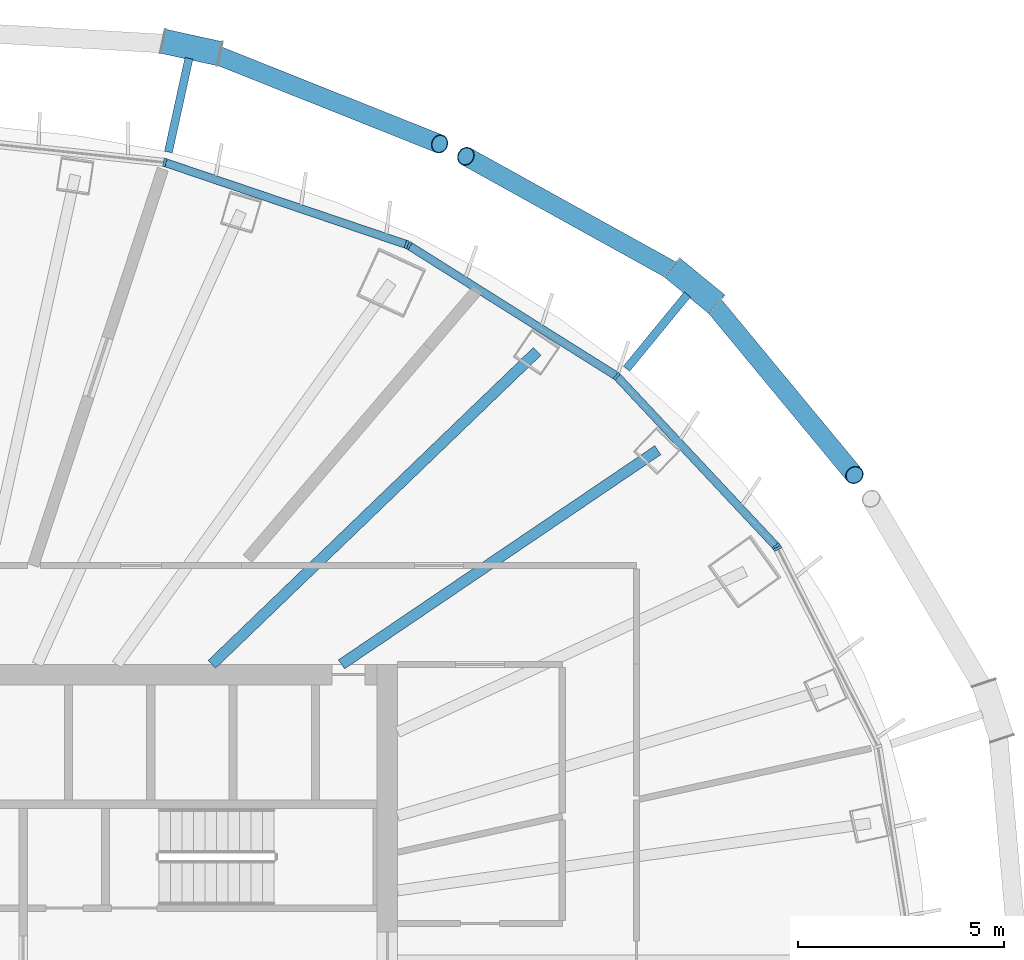
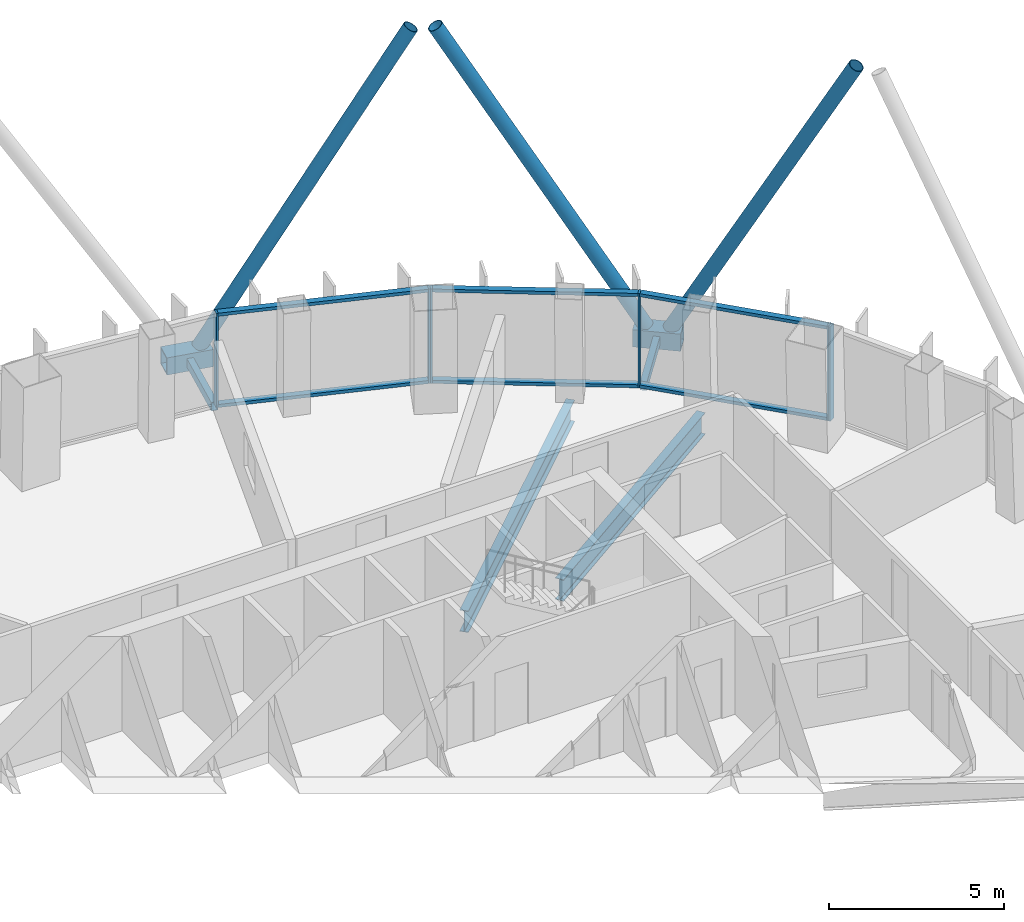
# One storey, part 6 of 18: 19 members, 2 beams, 3 elements without a shape of their own.
"""IFC4 building model written with IfcOpenShell, lengths in metres."""

from ifc_helpers import new_model, si_unit, direction, frame, origin, origin_2d, place, context, subcontext, project, spatial, rectangle, hollow_rectangle, hollow_circle, i_section, extrude, material, layer, layer_set, material_profile, profile_set, type_object, element, aggregate, save


model = new_model("IFC4")

# Units and contexts
model_context = context("Model", 3, precision=1e-05, world=origin(), true_north=direction((0.0, 1.0)))
body_context = subcontext(model_context, "Body", "Model", "MODEL_VIEW")
ifc_project = project(units=[si_unit("LENGTHUNIT", "METRE"), si_unit("AREAUNIT", "SQUARE_METRE"), si_unit("VOLUMEUNIT", "CUBIC_METRE"), si_unit("PLANEANGLEUNIT", "RADIAN"), si_unit("MASSUNIT", "GRAM", prefix="KILO")], contexts=[model_context])

# Site, building, storey
site_placement = place(None, origin())
site = spatial("IfcSite", under=ifc_project, at=site_placement, CompositionType="ELEMENT")
building_placement = place(site_placement, origin())
building = spatial("IfcBuilding", under=site, at=building_placement, Name="Siaravel Broadcast Tower", CompositionType="ELEMENT")
storey_placement = place(building_placement, frame((0.0, 0.0, 141.5)))
storey = spatial("IfcBuildingStorey", under=building, at=storey_placement, Name="L34", CompositionType="ELEMENT", Elevation=141.5)

# Beams
ifc_material_1 = material(Name="Steel S355", Category="steel")
ifc_material_profile_1 = material_profile(ifc_material_1, i_section(OverallWidth=0.26513671875, OverallDepth=0.75390625, WebThickness=0.0126953125, FlangeThickness=0.017578125, FilletRadius=0.0166015625, at=origin_2d()))
ifc_profile_set_1 = profile_set([ifc_material_profile_1], Name="Steel S355")
beam_type = type_object("IfcBeamType", Name="BM-UB 762x267x147", PredefinedType="BEAM", material=ifc_profile_set_1)
beam_1_placement = place(storey_placement, frame((18.3203125, 12.4033203125, -0.52685546875), z_axis=(-0.828075469, -0.560616641, 0.0), x_axis=(0.560616641, -0.828075469, 0.0)))
element("IfcBeam", 1, at=beam_1_placement, inside=storey, type_object=beam_type, Name="Radial beam RB05", PredefinedType="BEAM", context=body_context, shape_type="SweptSolid", body=[
    extrude(i_section(OverallWidth=0.26513671875, OverallDepth=0.75390625, WebThickness=0.0126953125, FlangeThickness=0.017578125, FilletRadius=0.0166015625, at=origin_2d()), origin(), (0.0, 0.0, 1.0), 9.281494140625),
])
beam_2_placement = place(storey_placement, frame((15.38818359375, 14.8046875, -0.52685546875), z_axis=(-0.720630298, -0.693319532, 0.0), x_axis=(0.693319532, -0.720630298, 0.0)))
element("IfcBeam", 2, at=beam_2_placement, inside=storey, type_object=beam_type, Name="Radial beam RB06", PredefinedType="BEAM", context=body_context, shape_type="SweptSolid", body=[
    extrude(i_section(OverallWidth=0.26513671875, OverallDepth=0.75390625, WebThickness=0.0126953125, FlangeThickness=0.017578125, FilletRadius=0.0166015625, at=origin_2d()), origin(), (0.0, 0.0, 1.0), 10.968505859375),
])

# Curtain wall, member
ifc_material_2 = material(Name="Aluminium 6063-T6", Category="aluminium")
ifc_layer = layer(ifc_material_2, 0.199951171875)
ifc_layer_set = layer_set([ifc_layer], Name="Aluminium 6063-T6")
curtain_wall_type = type_object("IfcCurtainWallType", Name="Unitised curtain wall, zone 2", PredefinedType="NOTDEFINED", material=ifc_layer_set)
curtain_wall_1_placement = place(storey_placement, origin())
curtain_wall_1 = element("IfcCurtainWall", 3, at=curtain_wall_1_placement, inside=storey, type_object=curtain_wall_type, Name="L34 Unitised curtain wall, zone 2 01", PredefinedType="NOTDEFINED")
ifc_material_profile_2 = material_profile(ifc_material_2, rectangle(XDim=0.199951171875, YDim=0.06494140625, at=origin_2d()))
ifc_profile_set_2 = profile_set([ifc_material_profile_2], Name="Aluminium 6063-T6")
member_type_1 = type_object("IfcMemberType", Name="CW-Z2 mullion", PredefinedType="MULLION", material=ifc_profile_set_2)
member_1_placement = place(storey_placement, frame((21.232421875, 10.0146484375, 0.0), z_axis=(0.0, 0.0, 1.0), x_axis=(-0.89239231, -0.451260419, 0.0)))
member_1 = element("IfcMember", 4, at=member_1_placement, type_object=member_type_1, Name="CW-Z2 mullion 3", PredefinedType="MULLION", context=body_context, shape_type="SweptSolid", body=[
    extrude(rectangle(XDim=0.199951171875, YDim=0.06494140625, at=origin_2d()), origin(), (0.0, 0.0, 1.0), 3.300048828125),
])
aggregate(curtain_wall_1, [member_1])

# Curtain wall, members
curtain_wall_2_placement = place(storey_placement, origin())
curtain_wall_2 = element("IfcCurtainWall", 5, at=curtain_wall_2_placement, inside=storey, type_object=curtain_wall_type, Name="L34 Unitised curtain wall, zone 2 02", PredefinedType="NOTDEFINED")
member_2_placement = place(storey_placement, frame((21.1953125, 10.0673828125, 0.0), z_axis=(0.0, 0.0, 1.0), x_axis=(-0.72980568, -0.683654642, 0.0)))
member_2 = element("IfcMember", 6, at=member_2_placement, type_object=member_type_1, Name="CW-Z2 mullion 1", PredefinedType="MULLION", context=body_context, shape_type="SweptSolid", body=[
    extrude(rectangle(XDim=0.199951171875, YDim=0.06494140625, at=origin_2d()), origin(), (0.0, 0.0, 1.0), 3.300048828125),
])
member_3_placement = place(storey_placement, frame((17.322509765625, 14.20166015625, 0.0), z_axis=(0.0, 0.0, 1.0), x_axis=(-0.636219116, -0.771508416, 0.0)))
member_3 = element("IfcMember", 7, at=member_3_placement, type_object=member_type_1, Name="CW-Z2 mullion 2", PredefinedType="MULLION", context=body_context, shape_type="SweptSolid", body=[
    extrude(rectangle(XDim=0.199951171875, YDim=0.06494140625, at=origin_2d()), origin(), (0.0, 0.0, 1.0), 3.300048828125),
])
member_4_placement = place(storey_placement, frame((12.275390625, 17.3740234375, 0.0), z_axis=(0.0, 0.0, 1.0), x_axis=(-0.532149741, -0.846650254, 0.0)))
member_4 = element("IfcMember", 8, at=member_4_placement, type_object=member_type_1, Name="CW-Z2 mullion 3", PredefinedType="MULLION", context=body_context, shape_type="SweptSolid", body=[
    extrude(rectangle(XDim=0.199951171875, YDim=0.06494140625, at=origin_2d()), origin(), (0.0, 0.0, 1.0), 3.300048828125),
])

curtain_wall_3_placement = place(storey_placement, origin())
curtain_wall_3 = element("IfcCurtainWall", 9, at=curtain_wall_3_placement, inside=storey, type_object=curtain_wall_type, Name="L34 Unitised curtain wall, zone 2 03", PredefinedType="NOTDEFINED")
member_5_placement = place(storey_placement, frame((12.217041015625, 17.40185546875, 0.0), z_axis=(0.0, 0.0, 1.0), x_axis=(-0.321301028, -0.946977111, 0.0)))
member_5 = element("IfcMember", 10, at=member_5_placement, type_object=member_type_1, Name="CW-Z2 mullion 1", PredefinedType="MULLION", context=body_context, shape_type="SweptSolid", body=[
    extrude(rectangle(XDim=0.199951171875, YDim=0.06494140625, at=origin_2d()), origin(), (0.0, 0.0, 1.0), 3.300048828125),
])
member_6_placement = place(storey_placement, frame((6.339599609375, 19.39599609375, 0.0), z_axis=(0.0, 0.0, 1.0), x_axis=(-0.215558352, -0.976490961, 0.0)))
member_6 = element("IfcMember", 11, at=member_6_placement, type_object=member_type_1, Name="CW-Z2 mullion 2", PredefinedType="MULLION", context=body_context, shape_type="SweptSolid", body=[
    extrude(rectangle(XDim=0.199951171875, YDim=0.06494140625, at=origin_2d()), origin(), (0.0, 0.0, 1.0), 3.300048828125),
])

# Member
ifc_material_profile_3 = material_profile(ifc_material_2, rectangle(XDim=0.199951171875, YDim=0.110107421875, at=origin_2d()))
ifc_profile_set_3 = profile_set([ifc_material_profile_3], Name="Aluminium 6063-T6")
member_type_2 = type_object("IfcMemberType", Name="CW-Z2 transom", PredefinedType="USERDEFINED", material=ifc_profile_set_3)
member_7_placement = place(storey_placement, frame((21.173095703125, 10.091064453125, 0.054931640625), z_axis=(-0.683668449, 0.729792746, 0.0), x_axis=(-0.729792746, -0.683668449, 0.0)))
member_7 = element("IfcMember", 12, at=member_7_placement, type_object=member_type_2, Name="CW-Z2 transom 1", ObjectType="TRANSOM", PredefinedType="USERDEFINED", context=body_context, shape_type="SweptSolid", body=[
    extrude(rectangle(XDim=0.199951171875, YDim=0.110107421875, at=origin_2d()), origin(), (0.0, 0.0, 1.0), 5.60009765625),
])

member_8_placement = place(storey_placement, frame((21.173095703125, 10.091064453125, 3.2451171875), z_axis=(-0.683668449, 0.729792746, 0.0), x_axis=(-0.729792746, -0.683668449, 0.0)))
member_8 = element("IfcMember", 13, at=member_8_placement, type_object=member_type_2, Name="CW-Z2 transom 1", ObjectType="TRANSOM", PredefinedType="USERDEFINED", context=body_context, shape_type="SweptSolid", body=[
    extrude(rectangle(XDim=0.199951171875, YDim=0.110107421875, at=origin_2d()), origin(), (0.0, 0.0, 1.0), 5.60009765625),
])

member_9_placement = place(storey_placement, frame((17.294921875, 14.218994140625, 0.054931640625), z_axis=(-0.846655737, 0.532141018, 0.0), x_axis=(-0.532141018, -0.846655737, 0.0)))
member_9 = element("IfcMember", 14, at=member_9_placement, type_object=member_type_2, Name="CW-Z2 transom 2", ObjectType="TRANSOM", PredefinedType="USERDEFINED", context=body_context, shape_type="SweptSolid", body=[
    extrude(rectangle(XDim=0.199951171875, YDim=0.110107421875, at=origin_2d()), origin(), (0.0, 0.0, 1.0), 5.896240234375),
])

member_10_placement = place(storey_placement, frame((17.294921875, 14.218994140625, 3.2451171875), z_axis=(-0.846655737, 0.532141018, 0.0), x_axis=(-0.532141018, -0.846655737, 0.0)))
member_10 = element("IfcMember", 15, at=member_10_placement, type_object=member_type_2, Name="CW-Z2 transom 2", ObjectType="TRANSOM", PredefinedType="USERDEFINED", context=body_context, shape_type="SweptSolid", body=[
    extrude(rectangle(XDim=0.199951171875, YDim=0.110107421875, at=origin_2d()), origin(), (0.0, 0.0, 1.0), 5.896240234375),
])

aggregate(curtain_wall_2, [member_2, member_3, member_4, member_7, member_8, member_9, member_10])

member_11_placement = place(storey_placement, frame((12.186279296875, 17.412109375, 0.054931640625), z_axis=(-0.946972221, 0.321315442, 0.0), x_axis=(-0.321315442, -0.946972221, 0.0)))
member_11 = element("IfcMember", 16, at=member_11_placement, type_object=member_type_2, Name="CW-Z2 transom 1", ObjectType="TRANSOM", PredefinedType="USERDEFINED", context=body_context, shape_type="SweptSolid", body=[
    extrude(rectangle(XDim=0.199951171875, YDim=0.110107421875, at=origin_2d()), origin(), (0.0, 0.0, 1.0), 6.1416015625),
])

member_12_placement = place(storey_placement, frame((12.186279296875, 17.412109375, 3.2451171875), z_axis=(-0.946972221, 0.321315442, 0.0), x_axis=(-0.321315442, -0.946972221, 0.0)))
member_12 = element("IfcMember", 17, at=member_12_placement, type_object=member_type_2, Name="CW-Z2 transom 1", ObjectType="TRANSOM", PredefinedType="USERDEFINED", context=body_context, shape_type="SweptSolid", body=[
    extrude(rectangle(XDim=0.199951171875, YDim=0.110107421875, at=origin_2d()), origin(), (0.0, 0.0, 1.0), 6.1416015625),
])

aggregate(curtain_wall_3, [member_5, member_6, member_11, member_12])

# Members
ifc_material_3 = material(Name="Steel S460", Category="steel")
ifc_material_profile_4 = material_profile(ifc_material_3, hollow_circle(Radius=0.228515625, WallThickness=0.02001953125, at=origin_2d()))
ifc_profile_set_4 = profile_set([ifc_material_profile_4], Name="Steel S460")
member_type_3 = type_object("IfcMemberType", Name="Diagrid diagonal CHS 457x20", PredefinedType="BRACE", material=ifc_profile_set_4)
member_13_placement = place(storey_placement, frame((19.481689453125, 16.17431640625, 0.070068359375), z_axis=(0.301770729, -0.364878056, 0.880794205), x_axis=(0.770598967, 0.637320353, 0.0)))
element("IfcMember", 18, at=member_13_placement, inside=storey, type_object=member_type_3, Name="Diagrid diagonal R14 station 09C", PredefinedType="BRACE", context=body_context, shape_type="SweptSolid", body=[
    extrude(hollow_circle(Radius=0.228515625, WallThickness=0.02001953125, at=origin_2d()), origin(), (0.0, 0.0, 1.0), 11.989013671875),
])
member_14_placement = place(storey_placement, frame((18.93798828125, 16.61962890625, 0.070068359375), z_axis=(-0.434245628, 0.240594195, 0.868069795), x_axis=(-0.484636897, -0.874715427, 0.0)))
element("IfcMember", 19, at=member_14_placement, inside=storey, type_object=member_type_3, Name="Diagrid diagonal R14 station 09A", PredefinedType="BRACE", context=body_context, shape_type="SweptSolid", body=[
    extrude(hollow_circle(Radius=0.228515625, WallThickness=0.02001953125, at=origin_2d()), origin(), (0.0, 0.0, 1.0), 12.164794921875),
])
member_15_placement = place(storey_placement, frame((7.328857421875, 22.115234375, 0.070068359375), z_axis=(0.466182885, -0.185817234, 0.864954029), x_axis=(0.370263678, 0.928926697, 0.0)))
element("IfcMember", 20, at=member_15_placement, inside=storey, type_object=member_type_3, Name="Diagrid diagonal R14 station 15C", PredefinedType="BRACE", context=body_context, shape_type="SweptSolid", body=[
    extrude(hollow_circle(Radius=0.228515625, WallThickness=0.02001953125, at=origin_2d()), origin(), (0.0, 0.0, 1.0), 12.20849609375),
])
ifc_material_profile_5 = material_profile(ifc_material_3, hollow_rectangle(XDim=0.60009765625, YDim=0.60009765625, WallThickness=0.0400390625, at=origin_2d()))
ifc_profile_set_5 = profile_set([ifc_material_profile_5], Name="Steel S460")
member_type_4 = type_object("IfcMemberType", Name="Diagrid node BOX 600x600x40", PredefinedType="USERDEFINED", material=ifc_profile_set_5)
for number, where, z_axis, x_axis, name in (
    (21, (19.751220703125, 15.95361328125, -0.199951171875), (-0.773584133, 0.633693609, 0.0), (-0.633693609, -0.773584133, 0.0), "Diagrid node R14 station 09"),
    (22, (7.669189453125, 22.04052734375, -0.199951171875), (-0.976754142, 0.21436265, 0.0), (-0.21436265, -0.976754142, 0.0), "Diagrid node R14 station 15"),
):
    element("IfcMember", number, at=place(storey_placement, frame(where, z_axis=z_axis, x_axis=x_axis)), inside=storey, type_object=member_type_4, Name=name, ObjectType="DIAGRID NODE", PredefinedType="USERDEFINED", context=body_context, shape_type="SweptSolid", body=[
        extrude(hollow_rectangle(XDim=0.60009765625, YDim=0.60009765625, WallThickness=0.0400390625, at=origin_2d()), origin(), (0.0, 0.0, 1.0), 1.399658203125),
    ])
ifc_material_profile_6 = material_profile(ifc_material_3, hollow_rectangle(XDim=0.199951171875, YDim=0.300048828125, WallThickness=0.012451171875, at=origin_2d()))
ifc_profile_set_6 = profile_set([ifc_material_profile_6], Name="Steel S460")
member_type_5 = type_object("IfcMemberType", Name="Diagrid node arm RHS 300x200x12.5", PredefinedType="STRUT", material=ifc_profile_set_6)
for number, where, z_axis, x_axis, name in (
    (23, (17.562255859375, 14.385498046875, -0.199951171875), (0.633699844, 0.773579025, 0.0), (-0.773579025, 0.633699844, 0.0), "Node arm R14 station 09"),
    (24, (6.42822265625, 19.651123046875, -0.199951171875), (0.214378037, 0.976750765, 0.0), (-0.976750765, 0.214378037, 0.0), "Node arm R14 station 15"),
):
    element("IfcMember", number, at=place(storey_placement, frame(where, z_axis=z_axis, x_axis=x_axis)), inside=storey, type_object=member_type_5, Name=name, PredefinedType="STRUT", context=body_context, shape_type="SweptSolid", body=[
        extrude(hollow_rectangle(XDim=0.199951171875, YDim=0.300048828125, WallThickness=0.012451171875, at=origin_2d()), origin(), (0.0, 0.0, 1.0), 2.330078125),
    ])

save(model, "model.ifc")
